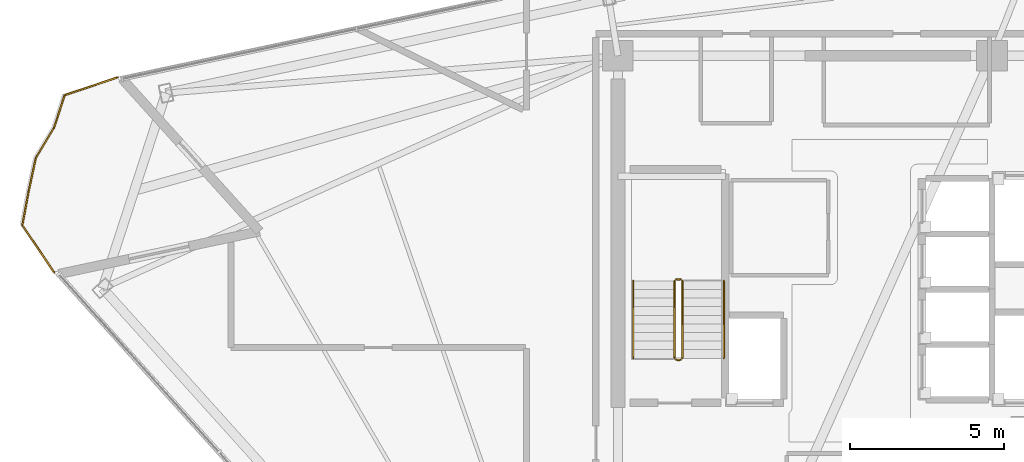
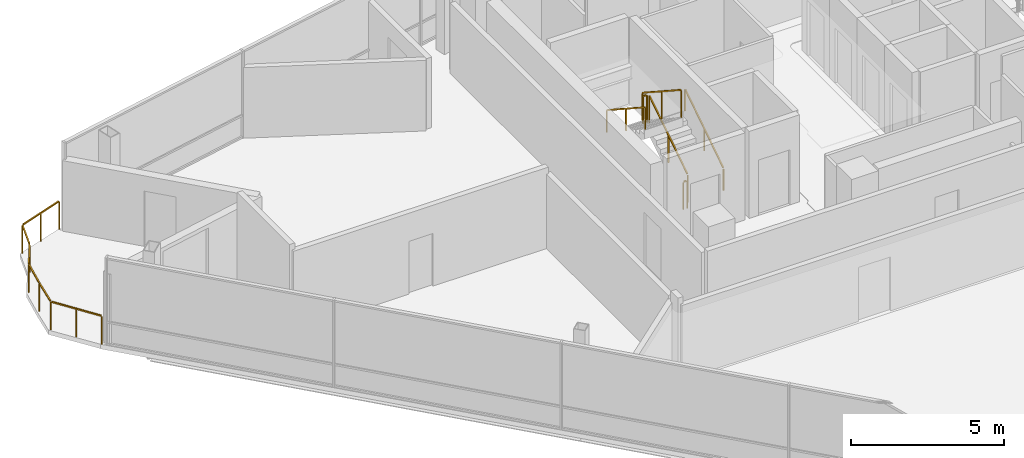
# One storey, part 14 of 15: 7 railings.
"""IFC4 building model written with IfcOpenShell, lengths in metres."""

from ifc_helpers import new_model, si_unit, direction, frame, origin, origin_2d, place, context, subcontext, project, spatial, rectangle, extrude, material, type_object, element, save


model = new_model("IFC4")

# Units and contexts
model_context = context("Model", 3, precision=1e-05, world=origin(), true_north=direction((0.0, 1.0)))
body_context = subcontext(model_context, "Body", "Model", "MODEL_VIEW")
ifc_project = project(units=[si_unit("LENGTHUNIT", "METRE"), si_unit("AREAUNIT", "SQUARE_METRE"), si_unit("VOLUMEUNIT", "CUBIC_METRE"), si_unit("PLANEANGLEUNIT", "RADIAN"), si_unit("MASSUNIT", "GRAM", prefix="KILO")], contexts=[model_context])

# Site, building, storey
site_placement = place(None, origin())
site = spatial("IfcSite", under=ifc_project, at=site_placement, CompositionType="ELEMENT")
building_placement = place(site_placement, origin())
building = spatial("IfcBuilding", under=site, at=building_placement, Name="Tharavind Bronze Gate", CompositionType="ELEMENT")
storey_placement = place(building_placement, frame((0.0, 0.0, 290.699951171875)))
storey = spatial("IfcBuildingStorey", under=building, at=storey_placement, Name="L75", CompositionType="ELEMENT", Elevation=290.699951171875)

# Railings
ifc_material_1 = material(Name="Brushed Bronze Alloy", Category="metal")
railing_type_1 = type_object("IfcRailingType", Name="STAIR BRONZE HANDRAIL 900", PredefinedType="HANDRAIL", material=ifc_material_1)
railing_1_placement = place(storey_placement, frame((-5.449951171875, -2.25, 0.1826171875)))
element("IfcRailing", 1, at=railing_1_placement, inside=storey, type_object=railing_type_1, Name="L75 ST1 stair handrail 1", PredefinedType="HANDRAIL", context=body_context, shape_type="SweptSolid", body=[
    extrude(rectangle(XDim=0.048095703125, YDim=0.048095703125, at=origin_2d()), frame((0.0, 0.02685546875, 0.893310546875), z_axis=(0.0, 0.837786554691, 0.545997883492), x_axis=(-1.0, 0.0, 0.0)), (0.0, 0.0, 1.0), 2.94384765625),
    extrude(rectangle(XDim=0.0400390625, YDim=0.0400390625, at=origin_2d()), origin(), (0.0, 0.0, 1.0), 0.847900390625),
    extrude(rectangle(XDim=0.0400390625, YDim=0.0400390625, at=origin_2d()), frame((0.0, 1.260009765625, 0.8212890625)), (0.0, 0.0, 1.0), 0.847900390625),
    extrude(rectangle(XDim=0.0400390625, YDim=0.0400390625, at=origin_2d()), frame((0.0, 2.52001953125, 1.642333984375)), (0.0, 0.0, 1.0), 0.847900390625),
])
railing_2_placement = place(storey_placement, frame((-8.39990234375, 0.27001953125, 2.007568359375)))
element("IfcRailing", 2, at=railing_2_placement, inside=storey, type_object=railing_type_1, Name="L75 ST1 stair handrail 2", PredefinedType="HANDRAIL", context=body_context, shape_type="SweptSolid", body=[
    extrude(rectangle(XDim=0.048095703125, YDim=0.048095703125, at=origin_2d()), frame((0.0, -0.02685546875, 0.893310546875), z_axis=(0.0, -0.837749427056, 0.546054848405), x_axis=(1.0, 0.0, 0.0)), (0.0, 0.0, 1.0), 2.944091796875),
    extrude(rectangle(XDim=0.0400390625, YDim=0.0400390625, at=origin_2d()), origin(), (0.0, 0.0, 1.0), 0.847900390625),
    extrude(rectangle(XDim=0.0400390625, YDim=0.0400390625, at=origin_2d()), frame((0.0, -1.260009765625, 0.8212890625)), (0.0, 0.0, 1.0), 0.847900390625),
    extrude(rectangle(XDim=0.0400390625, YDim=0.0400390625, at=origin_2d()), frame((0.0, -2.52001953125, 1.642578125)), (0.0, 0.0, 1.0), 0.847900390625),
])
railing_type_2 = type_object("IfcRailingType", Name="STAIR WELL GUARD RAILING 1120", PredefinedType="GUARDRAIL", material=ifc_material_1)
railing_3_placement = place(storey_placement, frame((-6.800048828125, -2.25, 0.1826171875)))
element("IfcRailing", 3, at=railing_3_placement, inside=storey, type_object=railing_type_2, Name="L75 ST1 stair guard 1", PredefinedType="GUARDRAIL", context=body_context, shape_type="SweptSolid", body=[
    extrude(rectangle(XDim=0.048095703125, YDim=0.048095703125, at=origin_2d()), frame((0.0, 0.02685546875, 1.113525390625), z_axis=(0.0, 0.837786554691, 0.545997883492), x_axis=(-1.0, 0.0, 0.0)), (0.0, 0.0, 1.0), 2.94384765625),
    extrude(rectangle(XDim=0.0400390625, YDim=0.0400390625, at=origin_2d()), origin(), (0.0, 0.0, 1.0), 1.068115234375),
    extrude(rectangle(XDim=0.0400390625, YDim=0.0400390625, at=origin_2d()), frame((0.0, 1.260009765625, 0.8212890625)), (0.0, 0.0, 1.0), 1.068115234375),
    extrude(rectangle(XDim=0.0400390625, YDim=0.0400390625, at=origin_2d()), frame((0.0, 2.52001953125, 1.642333984375)), (0.0, 0.0, 1.0), 1.068115234375),
])
railing_4_placement = place(storey_placement, frame((-6.85009765625, 0.320068359375, 1.824951171875)))
element("IfcRailing", 4, at=railing_4_placement, inside=storey, type_object=railing_type_2, Name="L75 ST1 stair guard 2", PredefinedType="GUARDRAIL", context=body_context, shape_type="SweptSolid", body=[
    extrude(rectangle(XDim=0.048095703125, YDim=0.048095703125, at=origin_2d()), frame((-0.031982421875, 0.0, 1.09619140625), z_axis=(-1.0, 0.0, 0.0), x_axis=(0.0, -1.0, 0.0)), (0.0, 0.0, 1.0), 0.0859375),
    extrude(rectangle(XDim=0.0400390625, YDim=0.0400390625, at=origin_2d()), origin(), (0.0, 0.0, 1.0), 1.068115234375),
    extrude(rectangle(XDim=0.0400390625, YDim=0.0400390625, at=origin_2d()), frame((-0.14990234375, 0.0, 0.0)), (0.0, 0.0, 1.0), 1.068115234375),
])
railing_5_placement = place(storey_placement, frame((-7.050048828125, 0.27001953125, 2.007568359375)))
element("IfcRailing", 5, at=railing_5_placement, inside=storey, type_object=railing_type_2, Name="L75 ST1 stair guard 3", PredefinedType="GUARDRAIL", context=body_context, shape_type="SweptSolid", body=[
    extrude(rectangle(XDim=0.048095703125, YDim=0.048095703125, at=origin_2d()), frame((0.0, -0.02685546875, 1.113525390625), z_axis=(0.0, -0.837749427056, 0.546054848405), x_axis=(1.0, 0.0, 0.0)), (0.0, 0.0, 1.0), 2.944091796875),
    extrude(rectangle(XDim=0.0400390625, YDim=0.0400390625, at=origin_2d()), origin(), (0.0, 0.0, 1.0), 1.068115234375),
    extrude(rectangle(XDim=0.0400390625, YDim=0.0400390625, at=origin_2d()), frame((0.0, -1.260009765625, 0.8212890625)), (0.0, 0.0, 1.0), 1.068115234375),
    extrude(rectangle(XDim=0.0400390625, YDim=0.0400390625, at=origin_2d()), frame((0.0, -2.52001953125, 1.642578125)), (0.0, 0.0, 1.0), 1.068115234375),
])
railing_6_placement = place(storey_placement, frame((-6.85009765625, -2.300048828125, 0.0)))
element("IfcRailing", 6, at=railing_6_placement, inside=storey, type_object=railing_type_2, Name="L75 ST1 stair guard 4", PredefinedType="GUARDRAIL", context=body_context, shape_type="SweptSolid", body=[
    extrude(rectangle(XDim=0.048095703125, YDim=0.048095703125, at=origin_2d()), frame((-0.031982421875, 0.0, 1.09619140625), z_axis=(-1.0, 0.0, 0.0), x_axis=(0.0, -1.0, 0.0)), (0.0, 0.0, 1.0), 0.0859375),
    extrude(rectangle(XDim=0.0400390625, YDim=0.0400390625, at=origin_2d()), origin(), (0.0, 0.0, 1.0), 1.068115234375),
    extrude(rectangle(XDim=0.0400390625, YDim=0.0400390625, at=origin_2d()), frame((-0.14990234375, 0.0, 0.0)), (0.0, 0.0, 1.0), 1.068115234375),
])
ifc_material_2 = material(Name="Bronze Cap & Laminated Glass", Category="glass")
railing_type_3 = type_object("IfcRailingType", Name="TERRACE GLASS GUARD RAILING 1150", PredefinedType="GUARDRAIL", material=ifc_material_2)
railing_7_placement = place(storey_placement, frame((-27.257568359375, 0.544677734375, 0.0)))
element("IfcRailing", 7, at=railing_7_placement, inside=storey, type_object=railing_type_3, Name="L75 tree balcony guard railing", PredefinedType="GUARDRAIL", context=body_context, shape_type="SweptSolid", body=[
    extrude(rectangle(XDim=0.048095703125, YDim=0.048095703125, at=origin_2d()), frame((-0.017822265625, 0.026611328125, 1.1259765625), z_axis=(-0.558006967266, 0.829836263658, 0.0), x_axis=(-0.829836263658, -0.558006967266, 0.0)), (0.0, 0.0, 1.0), 1.790771484375),
    extrude(rectangle(XDim=0.048095703125, YDim=0.048095703125, at=origin_2d()), frame((-1.029052734375, 1.570556640625, 1.1259765625), z_axis=(0.181084966823, 0.983467454871, 0.0), x_axis=(-0.983467454871, 0.181084966823, 0.0)), (0.0, 0.0, 1.0), 1.05908203125),
    extrude(rectangle(XDim=0.048095703125, YDim=0.048095703125, at=origin_2d()), frame((-0.82470703125, 2.6748046875, 1.1259765625), z_axis=(0.212076358892, 0.977253098229, 0.0), x_axis=(-0.977253098229, 0.212076358892, 0.0)), (0.0, 0.0, 1.0), 1.054931640625),
    extrude(rectangle(XDim=0.048095703125, YDim=0.048095703125, at=origin_2d()), frame((-0.57763671875, 3.764404296875, 1.1259765625), z_axis=(0.517193856548, 0.855868281191, 0.0), x_axis=(-0.855868281191, 0.517193856548, 0.0)), (0.0, 0.0, 1.0), 1.079345703125),
    extrude(rectangle(XDim=0.048095703125, YDim=0.048095703125, at=origin_2d()), frame((0.007080078125, 4.74609375, 1.1259765625), z_axis=(0.309180276792, 0.951003447125, 0.0), x_axis=(-0.951003447125, 0.309180276792, 0.0)), (0.0, 0.0, 1.0), 1.04931640625),
    extrude(rectangle(XDim=0.048095703125, YDim=0.048095703125, at=origin_2d()), frame((0.37158203125, 5.78466796875, 1.1259765625), z_axis=(0.947982555564, 0.31832228063, 0.0), x_axis=(-0.31832228063, 0.947982555564, 0.0)), (0.0, 0.0, 1.0), 1.753662109375),
    extrude(rectangle(XDim=0.0400390625, YDim=0.0400390625, at=origin_2d()), origin(), (0.0, 0.0, 1.0), 1.097900390625),
    extrude(rectangle(XDim=0.0400390625, YDim=0.0400390625, at=origin_2d()), frame((-0.517578125, 0.76953125, 0.0)), (0.0, 0.0, 1.0), 1.097900390625),
    extrude(rectangle(XDim=0.0400390625, YDim=0.0400390625, at=origin_2d()), frame((-1.034912109375, 1.5390625, 0.0)), (0.0, 0.0, 1.0), 1.097900390625),
    extrude(rectangle(XDim=0.0400390625, YDim=0.0400390625, at=origin_2d()), frame((-0.83154296875, 2.6435546875, 0.0)), (0.0, 0.0, 1.0), 1.097900390625),
    extrude(rectangle(XDim=0.0400390625, YDim=0.0400390625, at=origin_2d()), frame((-0.59423828125, 3.737060546875, 0.0)), (0.0, 0.0, 1.0), 1.097900390625),
    extrude(rectangle(XDim=0.0400390625, YDim=0.0400390625, at=origin_2d()), frame((-0.0029296875, 4.715576171875, 0.0)), (0.0, 0.0, 1.0), 1.097900390625),
    extrude(rectangle(XDim=0.0400390625, YDim=0.0400390625, at=origin_2d()), frame((0.34130859375, 5.7744140625, 0.0)), (0.0, 0.0, 1.0), 1.097900390625),
    extrude(rectangle(XDim=0.0400390625, YDim=0.0400390625, at=origin_2d()), frame((1.202880859375, 6.063720703125, 0.0)), (0.0, 0.0, 1.0), 1.097900390625),
    extrude(rectangle(XDim=0.0400390625, YDim=0.0400390625, at=origin_2d()), frame((2.064453125, 6.35302734375, 0.0)), (0.0, 0.0, 1.0), 1.097900390625),
])

save(model, "model.ifc")
